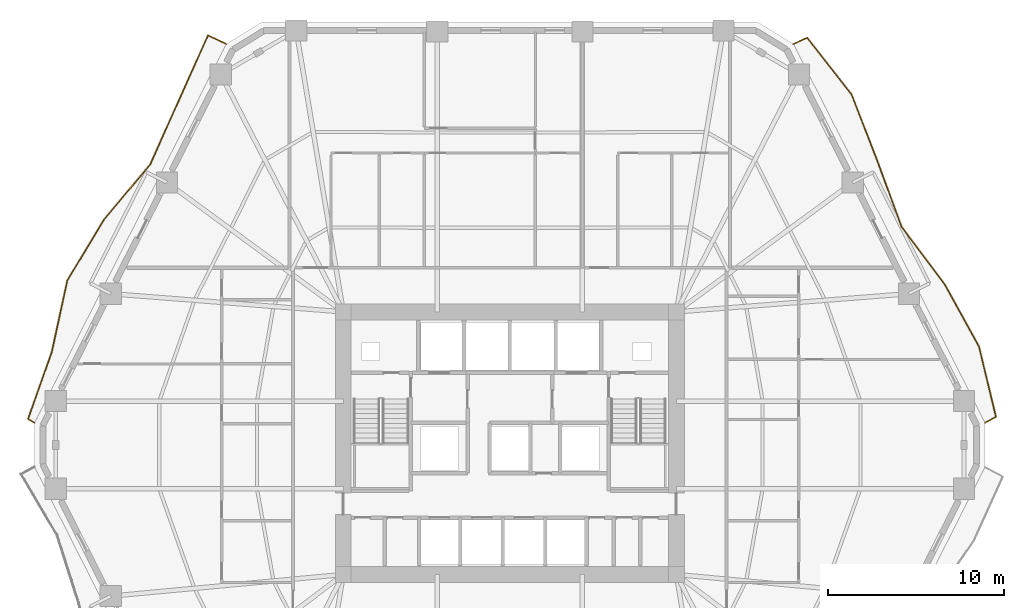
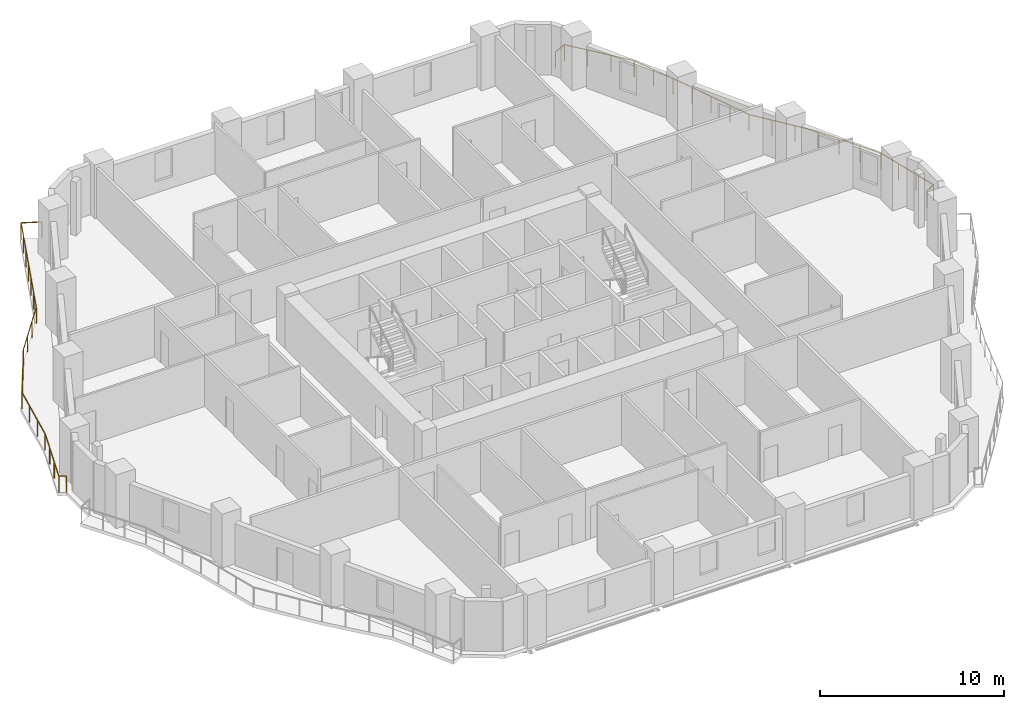
# One storey, part 11 of 11: 2 railings.
"""IFC4 building model written with IfcOpenShell, lengths in metres."""

import ifcopenshell
import ifcopenshell.guid

model = None  # the IFC model being written
_history = None  # IfcOwnerHistory: only IFC2X3 demands one
_inside = {}  # id of a spatial element -> (the spatial element, [elements in it])
_under = {}  # id of a project, library or spatial element -> (it, [spatial elements below it])
_declared = {}  # id of a project -> (the project, [libraries it declares])
_typed = {}  # id of a type object -> (the type object, [elements of that type])
_made_of = {}  # id of a material, layer set ... -> (it, [elements and type objects made of it])


def new_model(schema):
    """Start an empty IFC model of exactly this schema.

    Asked for "IFC4X3", IfcOpenShell would pick the latest addendum, in which some entities
    have other attributes; the version numbers below select the first issue.
    IFC2X3 requires an IfcOwnerHistory on every rooted entity: one is made here for all.
    """
    global model, _history
    if schema == "IFC4X3":
        model = ifcopenshell.file(schema_version=(4, 3, 0, 0))
    else:
        model = ifcopenshell.file(schema=schema)
    _inside.clear()
    _under.clear()
    _declared.clear()
    _typed.clear()
    _made_of.clear()
    _history = None
    if model.schema == "IFC2X3":
        org = make("IfcOrganization", Name="unknown")
        user = make(
            "IfcPersonAndOrganization",
            ThePerson=make("IfcPerson", FamilyName="unknown"),
            TheOrganization=org,
        )
        app = make(
            "IfcApplication",
            ApplicationDeveloper=org,
            Version="unknown",
            ApplicationFullName="unknown",
            ApplicationIdentifier="unknown",
        )
        _history = make(
            "IfcOwnerHistory",
            OwningUser=user,
            OwningApplication=app,
            ChangeAction="ADDED",
            CreationDate=0,
        )
    return model


def make(cls, **values):
    """One entity of the class cls with the attributes given. An attribute that is None is left unset."""
    return model.create_entity(
        cls, **{name: value for name, value in values.items() if value is not None}
    )


def rooted(cls, **values):
    """An entity with a GlobalId (a new one), such as an element, a storey or a relation."""
    return make(cls, GlobalId=ifcopenshell.guid.new(), OwnerHistory=_history, **values)


def si_unit(unit_type, name, prefix=None):
    """IfcSIUnit, for example si_unit("LENGTHUNIT", "METRE", prefix="MILLI")."""
    return make("IfcSIUnit", UnitType=unit_type, Prefix=prefix, Name=name)


def assignment(units):
    """IfcUnitAssignment: the units of a project."""
    return None if units is None else make("IfcUnitAssignment", Units=units)


def point(xyz):
    """IfcCartesianPoint."""
    return None if xyz is None else make("IfcCartesianPoint", Coordinates=xyz)


def direction(xyz):
    """IfcDirection."""
    return None if xyz is None else make("IfcDirection", DirectionRatios=xyz)


def frame(location, z_axis=None, x_axis=None):
    """IfcAxis2Placement3D, a coordinate frame: its origin and axes. An axis left out is left unset."""
    return make(
        "IfcAxis2Placement3D",
        Location=point(location),
        Axis=direction(z_axis),
        RefDirection=direction(x_axis),
    )


def frame_2d(location, x_axis=None):
    """IfcAxis2Placement2D, a coordinate frame in the plane: its origin and x axis."""
    return make(
        "IfcAxis2Placement2D", Location=point(location), RefDirection=direction(x_axis)
    )


def origin():
    """The frame at (0, 0, 0) with its axes left unset."""
    return frame((0.0, 0.0, 0.0))


def origin_2d():
    """The frame at (0, 0) in the plane with its x axis left unset."""
    return frame_2d((0.0, 0.0))


def place(relative_to, where):
    """IfcLocalPlacement: puts the frame where relative to a parent placement (None: the world)."""
    return make(
        "IfcLocalPlacement", PlacementRelTo=relative_to, RelativePlacement=where
    )


def context(
    kind, dimensions, precision=None, world=None, true_north=None, identifier=None
):
    """IfcGeometricRepresentationContext, for example the 3D "Model" context."""
    return make(
        "IfcGeometricRepresentationContext",
        ContextIdentifier=identifier,
        ContextType=kind,
        CoordinateSpaceDimension=dimensions,
        Precision=precision,
        WorldCoordinateSystem=world,
        TrueNorth=true_north,
    )


def subcontext(parent, identifier, kind, view, scale=None):
    """IfcGeometricRepresentationSubContext, for example "Body" below "Model"."""
    return make(
        "IfcGeometricRepresentationSubContext",
        ContextIdentifier=identifier,
        ContextType=kind,
        ParentContext=parent,
        TargetScale=scale,
        TargetView=view,
    )


def project(units=None, contexts=None):
    """IfcProject with its units and contexts."""
    return rooted(
        "IfcProject",
        Name="project",
        RepresentationContexts=contexts,
        UnitsInContext=assignment(units),
    )


def spatial(cls, under=None, at=None, **own):
    """A site, building, storey or space (cls), placed at a placement, below another one or the project."""
    s = rooted(cls, ObjectPlacement=at, **own)
    if under is not None:
        _under.setdefault(under.id(), (under, []))[1].append(s)
    return s


def profile(cls, at=None, kind="AREA", **sizes):
    """A parametric profile (cls). Its sizes go by their IFC names, for example OverallWidth=200.0."""
    return make(cls, ProfileType=kind, Position=at, **sizes)


def rectangle(**sizes):
    """IfcRectangleProfileDef."""
    return profile("IfcRectangleProfileDef", **sizes)


def extrude(swept, where, along, depth):
    """IfcExtrudedAreaSolid: the profile swept, set in the frame where, extruded along a direction by depth."""
    return make(
        "IfcExtrudedAreaSolid",
        SweptArea=swept,
        Position=where,
        ExtrudedDirection=direction(along),
        Depth=depth,
    )


def shape(context_of_items, identifier, shape_type, items):
    """IfcShapeRepresentation: the items that make up one representation, for example the "Body"."""
    return make(
        "IfcShapeRepresentation",
        ContextOfItems=context_of_items,
        RepresentationIdentifier=identifier,
        RepresentationType=shape_type,
        Items=items,
    )


def material(Name=None, Category=None):
    """IfcMaterial."""
    return make("IfcMaterial", Name=Name, Category=Category)


def made_of(thing, what):
    """Note that an element or type object is made of a material, layer set ...; save() writes the relation."""
    if what is not None:
        _made_of.setdefault(what.id(), (what, []))[1].append(thing)
    return thing


def type_object(cls, material=None, **own):
    """A type object (cls), such as IfcWallType, which elements share."""
    return made_of(rooted(cls, **own), material)


def element(
    cls,
    number,
    at=None,
    inside=None,
    cuts=None,
    type_object=None,
    material=None,
    context=None,
    identifier="Body",
    shape_type=None,
    held_by="IfcProductDefinitionShape",
    body=None,
    shapes=None,
    **own,
):
    """One element of the class cls, such as IfcWall. Its Tag is "e" and its number.

    at: its placement. inside: the storey or other place that contains it. cuts: it is an
    opening in that element (IfcRelVoidsElement). A single representation is given by context,
    identifier, shape_type and body (its items); several are given by shapes. held_by: the class
    of the entity that holds the representations. save() writes the other relations.
    """
    e = rooted(cls, Tag="e%d" % number, ObjectPlacement=at, **own)
    if body is not None:
        shapes = [shape(context, identifier, shape_type, body)]
    if shapes is not None:
        e.Representation = make(held_by, Representations=shapes)
    if inside is not None:
        _inside.setdefault(inside.id(), (inside, []))[1].append(e)
    if cuts is not None:
        rooted(
            "IfcRelVoidsElement", RelatingBuildingElement=cuts, RelatedOpeningElement=e
        )
    if type_object is not None:
        _typed.setdefault(type_object.id(), (type_object, []))[1].append(e)
    return made_of(e, material)


def aggregate(whole, parts):
    """IfcRelAggregates: a whole, such as a stair, and the parts it consists of."""
    return rooted("IfcRelAggregates", RelatingObject=whole, RelatedObjects=parts)


def save(model, path):
    """Write the relations noted so far, then the file.

    IfcRelAggregates (storeys below a building ...), IfcRelContainedInSpatialStructure (elements
    in a storey), IfcRelDefinesByType, IfcRelAssociatesMaterial and IfcRelDeclares: one each for
    every whole, place, type object, material and project.
    """
    for whole, parts in _under.values():
        aggregate(whole, parts)
    for where, things in _inside.values():
        rooted(
            "IfcRelContainedInSpatialStructure",
            RelatedElements=things,
            RelatingStructure=where,
        )
    for kind, things in _typed.values():
        rooted("IfcRelDefinesByType", RelatedObjects=things, RelatingType=kind)
    for what, things in _made_of.values():
        rooted("IfcRelAssociatesMaterial", RelatedObjects=things, RelatingMaterial=what)
    for by, libraries in _declared.values():
        rooted("IfcRelDeclares", RelatingContext=by, RelatedDefinitions=libraries)
    model.write(path)


model = new_model("IFC4")

# Units and contexts
model_context = context("Model", 3, precision=1e-05, world=origin(), true_north=direction((0.0, 1.0)))
body_context = subcontext(model_context, "Body", "Model", "MODEL_VIEW")
ifc_project = project(units=[si_unit("LENGTHUNIT", "METRE"), si_unit("AREAUNIT", "SQUARE_METRE"), si_unit("VOLUMEUNIT", "CUBIC_METRE"), si_unit("PLANEANGLEUNIT", "RADIAN"), si_unit("MASSUNIT", "GRAM", prefix="KILO")], contexts=[model_context])

# Site, building, storey
site_placement = place(None, origin())
site = spatial("IfcSite", under=ifc_project, at=site_placement, CompositionType="ELEMENT")
building_placement = place(site_placement, origin())
building = spatial("IfcBuilding", under=site, at=building_placement, Name="Cinnabar Lancet Tower", CompositionType="ELEMENT")
storey_placement = place(building_placement, frame((0.0, 0.0, 56.85009765625)))
storey = spatial("IfcBuildingStorey", under=building, at=storey_placement, Name="L14", CompositionType="ELEMENT", Elevation=56.85009765625)

# Railings
ifc_material = material(Name="Laminated safety glass and bronze stainless steel balustrade", Category="steel")
railing_type = type_object("IfcRailingType", Name="ENV-RLG-BAL-1100", PredefinedType="BALUSTRADE", material=ifc_material)
railing_1_placement = place(storey_placement, frame((59.367919921875, 27.049072265625, 0.0)))
element("IfcRailing", 1, at=railing_1_placement, inside=storey, type_object=railing_type, Name="L14 Face 3 Wave Balcony Balustrade", PredefinedType="BALUSTRADE", context=body_context, shape_type="SweptSolid", body=[
    extrude(rectangle(XDim=0.048095703125, YDim=0.048095703125, at=origin_2d()), frame((0.0, 0.0, 1.076171875), z_axis=(0.873338347372, 0.487114084183, 0.0), x_axis=(-0.487114084183, 0.873338347372, 0.0)), (0.0, 0.0, 1.0), 0.7041015625),
    extrude(rectangle(XDim=0.048095703125, YDim=0.048095703125, at=origin_2d()), frame((0.614990234375, 0.343017578125, 1.076171875), z_axis=(-0.234880177863, 0.972024332024, 0.0), x_axis=(-0.972024332024, -0.234880177863, 0.0)), (0.0, 0.0, 1.0), 4.1162109375),
    extrude(rectangle(XDim=0.048095703125, YDim=0.048095703125, at=origin_2d()), frame((-0.351806640625, 4.343994140625, 1.076171875), z_axis=(-0.483500713315, 0.875343966806, 0.0), x_axis=(-0.875343966806, -0.483500713315, 0.0)), (0.0, 0.0, 1.0), 4.0087890625),
    extrude(rectangle(XDim=0.048095703125, YDim=0.048095703125, at=origin_2d()), frame((-2.2900390625, 7.85302734375, 1.076171875), z_axis=(-0.600192082588, 0.799855902021, 0.0), x_axis=(-0.799855902021, -0.600192082588, 0.0)), (0.0, 0.0, 1.0), 4.06689453125),
    extrude(rectangle(XDim=0.048095703125, YDim=0.048095703125, at=origin_2d()), frame((-4.73095703125, 11.10595703125, 1.076171875), z_axis=(-0.345405182669, 0.938453653509, 0.0), x_axis=(-0.938453653509, -0.345405182669, 0.0)), (0.0, 0.0, 1.0), 4.033203125),
    extrude(rectangle(XDim=0.048095703125, YDim=0.048095703125, at=origin_2d()), frame((-6.1240234375, 14.890869140625, 1.076171875), z_axis=(-0.362320448078, 0.932053589073, 0.0), x_axis=(-0.932053589073, -0.362320448078, 0.0)), (0.0, 0.0, 1.0), 4.02685546875),
    extrude(rectangle(XDim=0.048095703125, YDim=0.048095703125, at=origin_2d()), frame((-7.5830078125, 18.64404296875, 1.076171875), z_axis=(-0.618011551274, 0.786169016492, 0.0), x_axis=(-0.786169016492, -0.618011551274, 0.0)), (0.0, 0.0, 1.0), 4.08544921875),
    extrude(rectangle(XDim=0.048095703125, YDim=0.048095703125, at=origin_2d()), frame((-10.10791015625, 21.85595703125, 1.076171875), z_axis=(-0.908983142237, -0.416832876737, 0.0), x_axis=(0.416832876737, -0.908983142237, 0.0)), (0.0, 0.0, 1.0), 0.849365234375),
    extrude(rectangle(XDim=0.0419921875, YDim=0.0419921875, at=origin_2d()), origin(), (0.0, 0.0, 1.0), 1.052001953125),
    extrude(rectangle(XDim=0.0419921875, YDim=0.0419921875, at=origin_2d()), frame((0.614990234375, 0.343017578125, 0.0)), (0.0, 0.0, 1.0), 1.052001953125),
    extrude(rectangle(XDim=0.0419921875, YDim=0.0419921875, at=origin_2d()), frame((0.292724609375, 1.6767578125, 0.0)), (0.0, 0.0, 1.0), 1.052001953125),
    extrude(rectangle(XDim=0.0419921875, YDim=0.0419921875, at=origin_2d()), frame((-0.029541015625, 3.01025390625, 0.0)), (0.0, 0.0, 1.0), 1.052001953125),
    extrude(rectangle(XDim=0.0419921875, YDim=0.0419921875, at=origin_2d()), frame((-0.351806640625, 4.343994140625, 0.0)), (0.0, 0.0, 1.0), 1.052001953125),
    extrude(rectangle(XDim=0.0419921875, YDim=0.0419921875, at=origin_2d()), frame((-0.997802734375, 5.513671875, 0.0)), (0.0, 0.0, 1.0), 1.052001953125),
    extrude(rectangle(XDim=0.0419921875, YDim=0.0419921875, at=origin_2d()), frame((-1.64404296875, 6.683349609375, 0.0)), (0.0, 0.0, 1.0), 1.052001953125),
    extrude(rectangle(XDim=0.0419921875, YDim=0.0419921875, at=origin_2d()), frame((-2.2900390625, 7.85302734375, 0.0)), (0.0, 0.0, 1.0), 1.052001953125),
    extrude(rectangle(XDim=0.0419921875, YDim=0.0419921875, at=origin_2d()), frame((-3.103759765625, 8.937255859375, 0.0)), (0.0, 0.0, 1.0), 1.052001953125),
    extrude(rectangle(XDim=0.0419921875, YDim=0.0419921875, at=origin_2d()), frame((-3.917236328125, 10.021728515625, 0.0)), (0.0, 0.0, 1.0), 1.052001953125),
    extrude(rectangle(XDim=0.0419921875, YDim=0.0419921875, at=origin_2d()), frame((-4.73095703125, 11.10595703125, 0.0)), (0.0, 0.0, 1.0), 1.052001953125),
    extrude(rectangle(XDim=0.0419921875, YDim=0.0419921875, at=origin_2d()), frame((-5.1953125, 12.36767578125, 0.0)), (0.0, 0.0, 1.0), 1.052001953125),
    extrude(rectangle(XDim=0.0419921875, YDim=0.0419921875, at=origin_2d()), frame((-5.65966796875, 13.629150390625, 0.0)), (0.0, 0.0, 1.0), 1.052001953125),
    extrude(rectangle(XDim=0.0419921875, YDim=0.0419921875, at=origin_2d()), frame((-6.1240234375, 14.890869140625, 0.0)), (0.0, 0.0, 1.0), 1.052001953125),
    extrude(rectangle(XDim=0.0419921875, YDim=0.0419921875, at=origin_2d()), frame((-6.6103515625, 16.141845703125, 0.0)), (0.0, 0.0, 1.0), 1.052001953125),
    extrude(rectangle(XDim=0.0419921875, YDim=0.0419921875, at=origin_2d()), frame((-7.0966796875, 17.39306640625, 0.0)), (0.0, 0.0, 1.0), 1.052001953125),
    extrude(rectangle(XDim=0.0419921875, YDim=0.0419921875, at=origin_2d()), frame((-7.5830078125, 18.64404296875, 0.0)), (0.0, 0.0, 1.0), 1.052001953125),
    extrude(rectangle(XDim=0.0419921875, YDim=0.0419921875, at=origin_2d()), frame((-8.424560546875, 19.714599609375, 0.0)), (0.0, 0.0, 1.0), 1.052001953125),
    extrude(rectangle(XDim=0.0419921875, YDim=0.0419921875, at=origin_2d()), frame((-9.266357421875, 20.785400390625, 0.0)), (0.0, 0.0, 1.0), 1.052001953125),
    extrude(rectangle(XDim=0.0419921875, YDim=0.0419921875, at=origin_2d()), frame((-10.10791015625, 21.85595703125, 0.0)), (0.0, 0.0, 1.0), 1.052001953125),
    extrude(rectangle(XDim=0.0419921875, YDim=0.0419921875, at=origin_2d()), frame((-10.8798828125, 21.501953125, 0.0)), (0.0, 0.0, 1.0), 1.052001953125),
])
railing_2_placement = place(storey_placement, frame((16.31201171875, 48.551025390625, 0.0)))
element("IfcRailing", 2, at=railing_2_placement, inside=storey, type_object=railing_type, Name="L14 Face 5 Wave Balcony Balustrade", PredefinedType="BALUSTRADE", context=body_context, shape_type="SweptSolid", body=[
    extrude(rectangle(XDim=0.048095703125, YDim=0.048095703125, at=origin_2d()), frame((0.0, 0.0, 1.076171875), z_axis=(-0.904145675016, 0.42722429513, 0.0), x_axis=(-0.42722429513, -0.904145675016, 0.0)), (0.0, 0.0, 1.0), 1.14453125),
    extrude(rectangle(XDim=0.048095703125, YDim=0.048095703125, at=origin_2d()), frame((-1.034912109375, 0.489013671875, 1.076171875), z_axis=(-0.409646195083, -0.912244481953, 0.0), x_axis=(0.912244481953, -0.409646195083, 0.0)), (0.0, 0.0, 1.0), 4.013427734375),
    extrude(rectangle(XDim=0.048095703125, YDim=0.048095703125, at=origin_2d()), frame((-2.678955078125, -3.172119140625, 1.076171875), z_axis=(-0.407905513977, -0.913024146267, 0.0), x_axis=(0.913024146267, -0.407905513977, 0.0)), (0.0, 0.0, 1.0), 4.0107421875),
    extrude(rectangle(XDim=0.048095703125, YDim=0.048095703125, at=origin_2d()), frame((-4.31494140625, -6.833984375, 1.076171875), z_axis=(-0.641473906521, -0.767144854152, 0.0), x_axis=(0.767144854152, -0.641473906521, 0.0)), (0.0, 0.0, 1.0), 4.11279296875),
    extrude(rectangle(XDim=0.048095703125, YDim=0.048095703125, at=origin_2d()), frame((-6.953125, -9.989013671875, 1.076171875), z_axis=(-0.515282458917, -0.857020412553, 0.0), x_axis=(0.857020412553, -0.515282458917, 0.0)), (0.0, 0.0, 1.0), 4.014892578125),
    extrude(rectangle(XDim=0.048095703125, YDim=0.048095703125, at=origin_2d()), frame((-9.02197265625, -13.429931640625, 1.076171875), z_axis=(-0.21204527811, -0.977259842637, 0.0), x_axis=(0.977259842637, -0.21204527811, 0.0)), (0.0, 0.0, 1.0), 4.140380859375),
    extrude(rectangle(XDim=0.048095703125, YDim=0.048095703125, at=origin_2d()), frame((-9.89990234375, -17.47607421875, 1.076171875), z_axis=(-0.333743091297, -0.942664070076, 0.0), x_axis=(0.942664070076, -0.333743091297, 0.0)), (0.0, 0.0, 1.0), 4.03955078125),
    extrude(rectangle(XDim=0.048095703125, YDim=0.048095703125, at=origin_2d()), frame((-11.248046875, -21.283935546875, 1.076171875), z_axis=(0.860300806504, -0.509786742009, 0.0), x_axis=(0.509786742009, 0.860300806504, 0.0)), (0.0, 0.0, 1.0), 0.427734375),
    extrude(rectangle(XDim=0.0419921875, YDim=0.0419921875, at=origin_2d()), origin(), (0.0, 0.0, 1.0), 1.052001953125),
    extrude(rectangle(XDim=0.0419921875, YDim=0.0419921875, at=origin_2d()), frame((-1.034912109375, 0.489013671875, 0.0)), (0.0, 0.0, 1.0), 1.052001953125),
    extrude(rectangle(XDim=0.0419921875, YDim=0.0419921875, at=origin_2d()), frame((-1.5830078125, -0.7314453125, 0.0)), (0.0, 0.0, 1.0), 1.052001953125),
    extrude(rectangle(XDim=0.0419921875, YDim=0.0419921875, at=origin_2d()), frame((-2.130859375, -1.95166015625, 0.0)), (0.0, 0.0, 1.0), 1.052001953125),
    extrude(rectangle(XDim=0.0419921875, YDim=0.0419921875, at=origin_2d()), frame((-2.678955078125, -3.172119140625, 0.0)), (0.0, 0.0, 1.0), 1.052001953125),
    extrude(rectangle(XDim=0.0419921875, YDim=0.0419921875, at=origin_2d()), frame((-3.224365234375, -4.392822265625, 0.0)), (0.0, 0.0, 1.0), 1.052001953125),
    extrude(rectangle(XDim=0.0419921875, YDim=0.0419921875, at=origin_2d()), frame((-3.76953125, -5.61328125, 0.0)), (0.0, 0.0, 1.0), 1.052001953125),
    extrude(rectangle(XDim=0.0419921875, YDim=0.0419921875, at=origin_2d()), frame((-4.31494140625, -6.833984375, 0.0)), (0.0, 0.0, 1.0), 1.052001953125),
    extrude(rectangle(XDim=0.0419921875, YDim=0.0419921875, at=origin_2d()), frame((-5.1943359375, -7.8857421875, 0.0)), (0.0, 0.0, 1.0), 1.052001953125),
    extrude(rectangle(XDim=0.0419921875, YDim=0.0419921875, at=origin_2d()), frame((-6.07373046875, -8.937255859375, 0.0)), (0.0, 0.0, 1.0), 1.052001953125),
    extrude(rectangle(XDim=0.0419921875, YDim=0.0419921875, at=origin_2d()), frame((-6.953125, -9.989013671875, 0.0)), (0.0, 0.0, 1.0), 1.052001953125),
    extrude(rectangle(XDim=0.0419921875, YDim=0.0419921875, at=origin_2d()), frame((-7.642822265625, -11.135986328125, 0.0)), (0.0, 0.0, 1.0), 1.052001953125),
    extrude(rectangle(XDim=0.0419921875, YDim=0.0419921875, at=origin_2d()), frame((-8.332275390625, -12.282958984375, 0.0)), (0.0, 0.0, 1.0), 1.052001953125),
    extrude(rectangle(XDim=0.0419921875, YDim=0.0419921875, at=origin_2d()), frame((-9.02197265625, -13.429931640625, 0.0)), (0.0, 0.0, 1.0), 1.052001953125),
    extrude(rectangle(XDim=0.0419921875, YDim=0.0419921875, at=origin_2d()), frame((-9.314697265625, -14.778564453125, 0.0)), (0.0, 0.0, 1.0), 1.052001953125),
    extrude(rectangle(XDim=0.0419921875, YDim=0.0419921875, at=origin_2d()), frame((-9.607177734375, -16.12744140625, 0.0)), (0.0, 0.0, 1.0), 1.052001953125),
    extrude(rectangle(XDim=0.0419921875, YDim=0.0419921875, at=origin_2d()), frame((-9.89990234375, -17.47607421875, 0.0)), (0.0, 0.0, 1.0), 1.052001953125),
    extrude(rectangle(XDim=0.0419921875, YDim=0.0419921875, at=origin_2d()), frame((-10.349365234375, -18.745361328125, 0.0)), (0.0, 0.0, 1.0), 1.052001953125),
    extrude(rectangle(XDim=0.0419921875, YDim=0.0419921875, at=origin_2d()), frame((-10.798583984375, -20.0146484375, 0.0)), (0.0, 0.0, 1.0), 1.052001953125),
    extrude(rectangle(XDim=0.0419921875, YDim=0.0419921875, at=origin_2d()), frame((-11.248046875, -21.283935546875, 0.0)), (0.0, 0.0, 1.0), 1.052001953125),
    extrude(rectangle(XDim=0.0419921875, YDim=0.0419921875, at=origin_2d()), frame((-10.880126953125, -21.501953125, 0.0)), (0.0, 0.0, 1.0), 1.052001953125),
])

save(model, "model.ifc")
